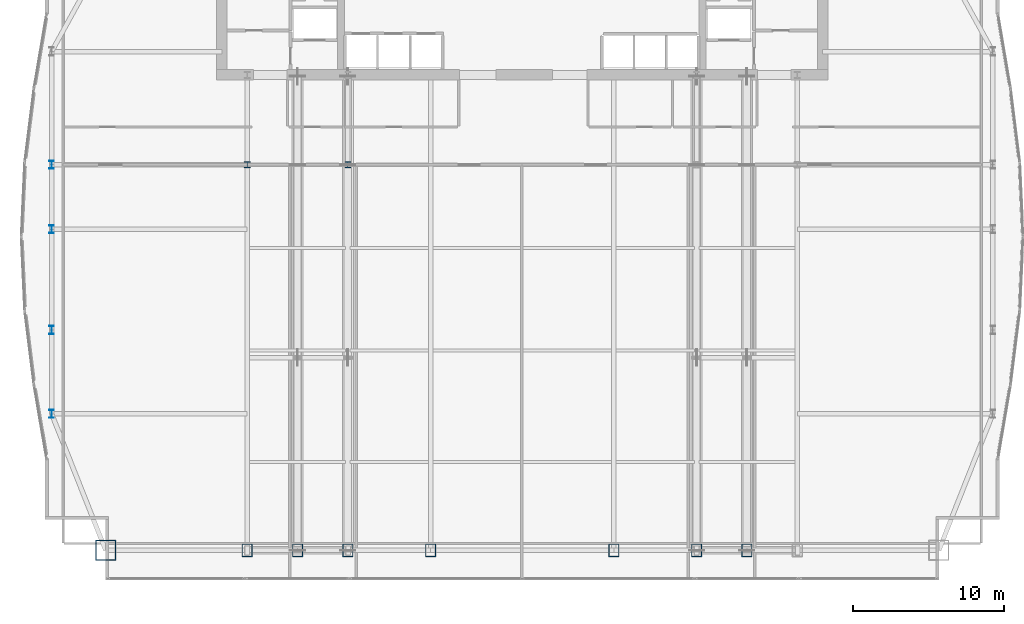
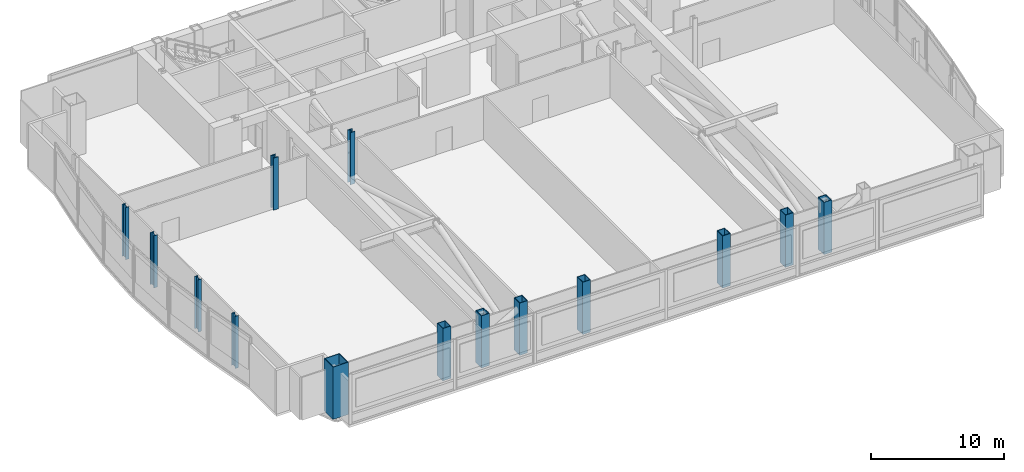
# One storey, part 1 of 30: 14 columns.
"""IFC4 building model written with IfcOpenShell, lengths in metres."""

from ifc_helpers import new_model, si_unit, direction, frame, origin, origin_2d, place, context, subcontext, project, spatial, hollow_rectangle, i_section, extrude, material, material_profile, profile_set, type_object, element, save


model = new_model("IFC4")

# Units and contexts
model_context = context("Model", 3, precision=1e-05, world=origin(), true_north=direction((0.0, 1.0)))
body_context = subcontext(model_context, "Body", "Model", "MODEL_VIEW")
ifc_project = project(units=[si_unit("LENGTHUNIT", "METRE"), si_unit("AREAUNIT", "SQUARE_METRE"), si_unit("VOLUMEUNIT", "CUBIC_METRE"), si_unit("PLANEANGLEUNIT", "RADIAN"), si_unit("MASSUNIT", "GRAM", prefix="KILO")], contexts=[model_context])

# Site, building, storey
site_placement = place(None, origin())
site = spatial("IfcSite", under=ifc_project, at=site_placement, CompositionType="ELEMENT")
building_placement = place(site_placement, origin())
building = spatial("IfcBuilding", under=site, at=building_placement, Name="Khoronbel Lancet Exchange", CompositionType="ELEMENT")
storey_placement = place(building_placement, frame((0.0, 0.0, 172.199951171875)))
storey = spatial("IfcBuildingStorey", under=building, at=storey_placement, Name="L43", CompositionType="ELEMENT", Elevation=172.199951171875)

# Columns
ifc_material_1 = material(Name="Steel S460", Category="steel")
ifc_material_profile_1 = material_profile(ifc_material_1, hollow_rectangle(XDim=0.699951171875, YDim=0.85009765625, WallThickness=0.050048828125, at=origin_2d()), Name="BOX 850x700x50")
ifc_profile_set_1 = profile_set([ifc_material_profile_1], Name="Steel S460")
column_type_1 = type_object("IfcColumnType", Name="COL-EC2", PredefinedType="COLUMN", material=ifc_profile_set_1)
for number, where, z_axis, x_axis, name in (
    (1, (18.22509765625, 10.14990234375, 0.0), (0.0, 0.0, 1.0), (1.0, 0.0, 0.0), "Structural column SC-W1 L43"),
    (2, (21.5625, 10.14990234375, 0.0), (0.0, 0.0, 1.0), (1.0, 0.0, 0.0), "Structural column SC-WM L43"),
    (3, (24.89990234375, 10.14990234375, 0.0), (0.0, 0.0, 1.0), (1.0, 0.0, 0.0), "Structural column SC-W2 L43"),
    (4, (30.375, 10.14990234375, 0.0), (0.0, 0.0, 1.0), (1.0, 0.0, 0.0), "Structural column SC-C1 L43"),
    (5, (42.52490234375, 10.14990234375, 0.0), (0.0, 0.0, 1.0), (1.0, 0.0, 0.0), "Structural column SC-C2 L43"),
    (6, (48.0, 10.14990234375, 0.0), (0.0, 0.0, 1.0), (1.0, 0.0, 0.0), "Structural column SC-E1 L43"),
    (7, (51.33740234375, 10.14990234375, 0.0), (0.0, 0.0, 1.0), (1.0, 0.0, 0.0), "Structural column SC-EM L43"),
):
    element("IfcColumn", number, at=place(storey_placement, frame(where, z_axis=z_axis, x_axis=x_axis)), inside=storey, type_object=column_type_1, Name=name, PredefinedType="COLUMN", context=body_context, shape_type="SweptSolid", body=[
        extrude(hollow_rectangle(XDim=0.699951171875, YDim=0.85009765625, WallThickness=0.050048828125, at=origin_2d()), origin(), (0.0, 0.0, 1.0), 4.800048828125),
    ])
ifc_material_profile_2 = material_profile(ifc_material_1, i_section(OverallWidth=0.416015625, OverallDepth=0.446044921875, WebThickness=0.0390625, FlangeThickness=0.062744140625, at=origin_2d()), Name="HD 400x509")
ifc_profile_set_2 = profile_set([ifc_material_profile_2], Name="Steel S460")
column_type_2 = type_object("IfcColumnType", Name="COL-IC2", PredefinedType="COLUMN", material=ifc_profile_set_2)
for number, where, z_axis, x_axis, name in (
    (8, (18.22509765625, 35.699951171875, 0.0), (0.0, 0.0, 1.0), (1.0, 0.0, 0.0), "Spine gravity column TC1 L43"),
    (9, (24.89990234375, 35.699951171875, 0.0), (0.0, 0.0, 1.0), (1.0, 0.0, 0.0), "Spine gravity column TC2 L43"),
):
    element("IfcColumn", number, at=place(storey_placement, frame(where, z_axis=z_axis, x_axis=x_axis)), inside=storey, type_object=column_type_2, Name=name, PredefinedType="COLUMN", context=body_context, shape_type="SweptSolid", body=[
        extrude(i_section(OverallWidth=0.416015625, OverallDepth=0.446044921875, WebThickness=0.0390625, FlangeThickness=0.062744140625, at=origin_2d()), origin(), (0.0, 0.0, 1.0), 4.800048828125),
    ])
ifc_material_2 = material(Name="Steel S355", Category="steel")
ifc_material_profile_3 = material_profile(ifc_material_2, i_section(OverallWidth=0.300048828125, OverallDepth=0.550048828125, WebThickness=0.014892578125, FlangeThickness=0.029052734375, at=origin_2d()), Name="HEB 550")
ifc_profile_set_3 = profile_set([ifc_material_profile_3], Name="Steel S355")
column_type_3 = type_object("IfcColumnType", Name="COL-LC1", PredefinedType="COLUMN", material=ifc_profile_set_3)
for number, where, z_axis, x_axis, name in (
    (10, (5.27001953125, 19.199951171875, 0.0), (0.0, 0.0, 1.0), (1.0, 0.0, 0.0), "Structural column WC-1 L43"),
    (11, (5.27001953125, 24.75, 0.0), (0.0, 0.0, 1.0), (1.0, 0.0, 0.0), "Structural column WC-2 L43"),
    (12, (5.27001953125, 31.425048828125, 0.0), (0.0, 0.0, 1.0), (1.0, 0.0, 0.0), "Structural column WC-M L43"),
    (13, (5.27001953125, 35.699951171875, 0.0), (0.0, 0.0, 1.0), (1.0, 0.0, 0.0), "Structural column WC-3 L43"),
):
    element("IfcColumn", number, at=place(storey_placement, frame(where, z_axis=z_axis, x_axis=x_axis)), inside=storey, type_object=column_type_3, Name=name, PredefinedType="COLUMN", context=body_context, shape_type="SweptSolid", body=[
        extrude(i_section(OverallWidth=0.300048828125, OverallDepth=0.550048828125, WebThickness=0.014892578125, FlangeThickness=0.029052734375, at=origin_2d()), origin(), (0.0, 0.0, 1.0), 4.800048828125),
    ])
ifc_material_profile_4 = material_profile(ifc_material_1, hollow_rectangle(XDim=1.35009765625, YDim=1.35009765625, WallThickness=0.06494140625, at=origin_2d()), Name="BOX 1350x1350x65")
ifc_profile_set_4 = profile_set([ifc_material_profile_4], Name="Steel S460")
column_type_4 = type_object("IfcColumnType", Name="COL-MC4", PredefinedType="COLUMN", material=ifc_profile_set_4)
column_placement = place(storey_placement, frame((8.85009765625, 10.14990234375, 0.0), z_axis=(0.0, 0.0, 1.0), x_axis=(1.0, 0.0, 0.0)))
element("IfcColumn", 14, at=column_placement, inside=storey, type_object=column_type_4, Name="Structural column MC-SW L43", PredefinedType="COLUMN", context=body_context, shape_type="SweptSolid", body=[
    extrude(hollow_rectangle(XDim=1.35009765625, YDim=1.35009765625, WallThickness=0.06494140625, at=origin_2d()), origin(), (0.0, 0.0, 1.0), 4.800048828125),
])

save(model, "model.ifc")
